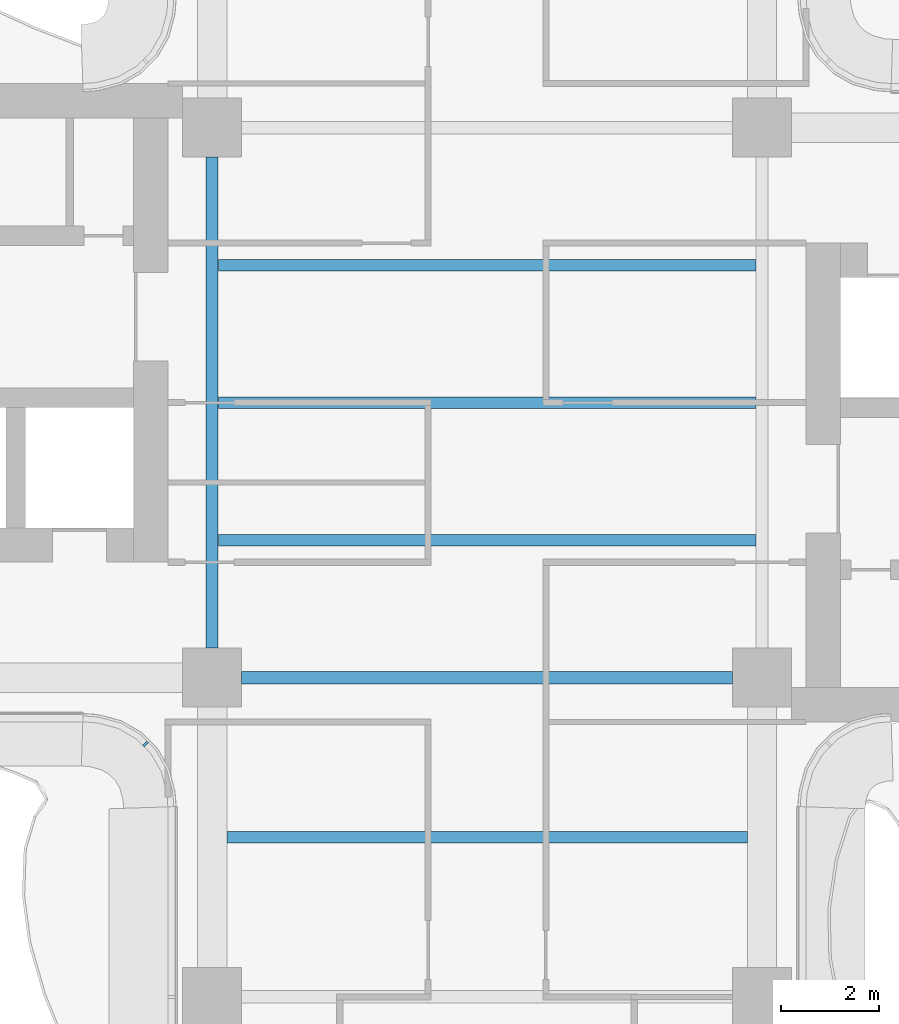
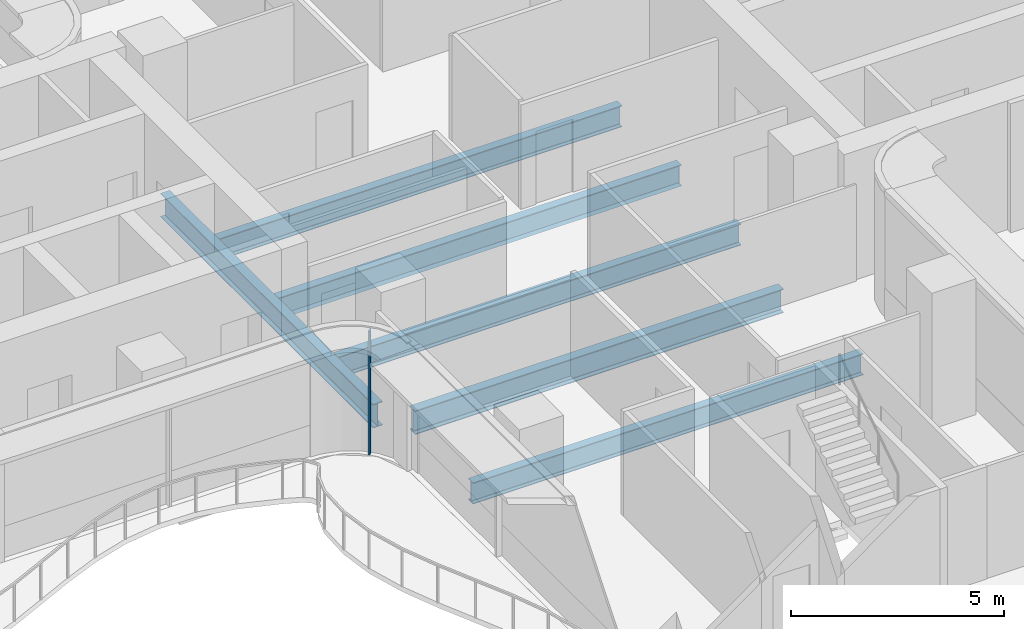
# One storey, part 4 of 19: 6 beams, 1 member, 1 element without a shape of its own.
"""IFC4 building model written with IfcOpenShell, lengths in metres."""

import ifcopenshell
import ifcopenshell.guid

model = None  # the IFC model being written
_history = None  # IfcOwnerHistory: only IFC2X3 demands one
_inside = {}  # id of a spatial element -> (the spatial element, [elements in it])
_under = {}  # id of a project, library or spatial element -> (it, [spatial elements below it])
_declared = {}  # id of a project -> (the project, [libraries it declares])
_typed = {}  # id of a type object -> (the type object, [elements of that type])
_made_of = {}  # id of a material, layer set ... -> (it, [elements and type objects made of it])


def new_model(schema):
    """Start an empty IFC model of exactly this schema.

    Asked for "IFC4X3", IfcOpenShell would pick the latest addendum, in which some entities
    have other attributes; the version numbers below select the first issue.
    IFC2X3 requires an IfcOwnerHistory on every rooted entity: one is made here for all.
    """
    global model, _history
    if schema == "IFC4X3":
        model = ifcopenshell.file(schema_version=(4, 3, 0, 0))
    else:
        model = ifcopenshell.file(schema=schema)
    _inside.clear()
    _under.clear()
    _declared.clear()
    _typed.clear()
    _made_of.clear()
    _history = None
    if model.schema == "IFC2X3":
        org = make("IfcOrganization", Name="unknown")
        user = make(
            "IfcPersonAndOrganization",
            ThePerson=make("IfcPerson", FamilyName="unknown"),
            TheOrganization=org,
        )
        app = make(
            "IfcApplication",
            ApplicationDeveloper=org,
            Version="unknown",
            ApplicationFullName="unknown",
            ApplicationIdentifier="unknown",
        )
        _history = make(
            "IfcOwnerHistory",
            OwningUser=user,
            OwningApplication=app,
            ChangeAction="ADDED",
            CreationDate=0,
        )
    return model


def make(cls, **values):
    """One entity of the class cls with the attributes given. An attribute that is None is left unset."""
    return model.create_entity(
        cls, **{name: value for name, value in values.items() if value is not None}
    )


def rooted(cls, **values):
    """An entity with a GlobalId (a new one), such as an element, a storey or a relation."""
    return make(cls, GlobalId=ifcopenshell.guid.new(), OwnerHistory=_history, **values)


def si_unit(unit_type, name, prefix=None):
    """IfcSIUnit, for example si_unit("LENGTHUNIT", "METRE", prefix="MILLI")."""
    return make("IfcSIUnit", UnitType=unit_type, Prefix=prefix, Name=name)


def assignment(units):
    """IfcUnitAssignment: the units of a project."""
    return None if units is None else make("IfcUnitAssignment", Units=units)


def point(xyz):
    """IfcCartesianPoint."""
    return None if xyz is None else make("IfcCartesianPoint", Coordinates=xyz)


def direction(xyz):
    """IfcDirection."""
    return None if xyz is None else make("IfcDirection", DirectionRatios=xyz)


def frame(location, z_axis=None, x_axis=None):
    """IfcAxis2Placement3D, a coordinate frame: its origin and axes. An axis left out is left unset."""
    return make(
        "IfcAxis2Placement3D",
        Location=point(location),
        Axis=direction(z_axis),
        RefDirection=direction(x_axis),
    )


def frame_2d(location, x_axis=None):
    """IfcAxis2Placement2D, a coordinate frame in the plane: its origin and x axis."""
    return make(
        "IfcAxis2Placement2D", Location=point(location), RefDirection=direction(x_axis)
    )


def origin():
    """The frame at (0, 0, 0) with its axes left unset."""
    return frame((0.0, 0.0, 0.0))


def origin_2d():
    """The frame at (0, 0) in the plane with its x axis left unset."""
    return frame_2d((0.0, 0.0))


def place(relative_to, where):
    """IfcLocalPlacement: puts the frame where relative to a parent placement (None: the world)."""
    return make(
        "IfcLocalPlacement", PlacementRelTo=relative_to, RelativePlacement=where
    )


def context(
    kind, dimensions, precision=None, world=None, true_north=None, identifier=None
):
    """IfcGeometricRepresentationContext, for example the 3D "Model" context."""
    return make(
        "IfcGeometricRepresentationContext",
        ContextIdentifier=identifier,
        ContextType=kind,
        CoordinateSpaceDimension=dimensions,
        Precision=precision,
        WorldCoordinateSystem=world,
        TrueNorth=true_north,
    )


def subcontext(parent, identifier, kind, view, scale=None):
    """IfcGeometricRepresentationSubContext, for example "Body" below "Model"."""
    return make(
        "IfcGeometricRepresentationSubContext",
        ContextIdentifier=identifier,
        ContextType=kind,
        ParentContext=parent,
        TargetScale=scale,
        TargetView=view,
    )


def project(units=None, contexts=None):
    """IfcProject with its units and contexts."""
    return rooted(
        "IfcProject",
        Name="project",
        RepresentationContexts=contexts,
        UnitsInContext=assignment(units),
    )


def spatial(cls, under=None, at=None, **own):
    """A site, building, storey or space (cls), placed at a placement, below another one or the project."""
    s = rooted(cls, ObjectPlacement=at, **own)
    if under is not None:
        _under.setdefault(under.id(), (under, []))[1].append(s)
    return s


def profile(cls, at=None, kind="AREA", **sizes):
    """A parametric profile (cls). Its sizes go by their IFC names, for example OverallWidth=200.0."""
    return make(cls, ProfileType=kind, Position=at, **sizes)


def rectangle(**sizes):
    """IfcRectangleProfileDef."""
    return profile("IfcRectangleProfileDef", **sizes)


def i_section(**sizes):
    """IfcIShapeProfileDef."""
    return profile("IfcIShapeProfileDef", **sizes)


def extrude(swept, where, along, depth):
    """IfcExtrudedAreaSolid: the profile swept, set in the frame where, extruded along a direction by depth."""
    return make(
        "IfcExtrudedAreaSolid",
        SweptArea=swept,
        Position=where,
        ExtrudedDirection=direction(along),
        Depth=depth,
    )


def shape(context_of_items, identifier, shape_type, items):
    """IfcShapeRepresentation: the items that make up one representation, for example the "Body"."""
    return make(
        "IfcShapeRepresentation",
        ContextOfItems=context_of_items,
        RepresentationIdentifier=identifier,
        RepresentationType=shape_type,
        Items=items,
    )


def source(mapping_origin, context_of_items, identifier, shape_type, items):
    """IfcRepresentationMap: a shape defined once, which mapped items show again and again."""
    return make(
        "IfcRepresentationMap",
        MappingOrigin=mapping_origin,
        MappedRepresentation=shape(context_of_items, identifier, shape_type, items),
    )


def transform(
    local_origin,
    x_axis=None,
    y_axis=None,
    z_axis=None,
    scale=None,
    scale2=None,
    scale3=None,
    uniform=True,
):
    """IfcCartesianTransformationOperator3D, or its non-uniform kind. x_axis, y_axis, z_axis: its Axis1, 2, 3."""
    if uniform:
        return make(
            "IfcCartesianTransformationOperator3D",
            Axis1=direction(x_axis),
            Axis2=direction(y_axis),
            LocalOrigin=point(local_origin),
            Scale=scale,
            Axis3=direction(z_axis),
        )
    return make(
        "IfcCartesianTransformationOperator3DnonUniform",
        Axis1=direction(x_axis),
        Axis2=direction(y_axis),
        LocalOrigin=point(local_origin),
        Scale=scale,
        Axis3=direction(z_axis),
        Scale2=scale2,
        Scale3=scale3,
    )


def mapped(mapping_source, mapping_target):
    """IfcMappedItem: shows the shape of a source again, moved by a transform."""
    return make(
        "IfcMappedItem", MappingSource=mapping_source, MappingTarget=mapping_target
    )


def material(Name=None, Category=None):
    """IfcMaterial."""
    return make("IfcMaterial", Name=Name, Category=Category)


def layer(
    of_material, thickness, ventilated=None, Name=None, Category=None, Priority=None
):
    """IfcMaterialLayer: one layer of a wall or slab, of a material (None: an air gap)."""
    return make(
        "IfcMaterialLayer",
        Material=of_material,
        LayerThickness=thickness,
        IsVentilated=ventilated,
        Name=Name,
        Category=Category,
        Priority=Priority,
    )


def layer_set(layers, Name=None):
    """IfcMaterialLayerSet."""
    return make("IfcMaterialLayerSet", MaterialLayers=layers, LayerSetName=Name)


def material_profile(
    of_material, cross_section, Name=None, Category=None, Priority=None
):
    """IfcMaterialProfile: a cross section and its material."""
    return make(
        "IfcMaterialProfile",
        Name=Name,
        Material=of_material,
        Profile=cross_section,
        Priority=Priority,
        Category=Category,
    )


def profile_set(profiles, Name=None, composite=None):
    """IfcMaterialProfileSet."""
    return make(
        "IfcMaterialProfileSet",
        Name=Name,
        MaterialProfiles=profiles,
        CompositeProfile=composite,
    )


def made_of(thing, what):
    """Note that an element or type object is made of a material, layer set ...; save() writes the relation."""
    if what is not None:
        _made_of.setdefault(what.id(), (what, []))[1].append(thing)
    return thing


def type_object(cls, material=None, **own):
    """A type object (cls), such as IfcWallType, which elements share."""
    return made_of(rooted(cls, **own), material)


def element(
    cls,
    number,
    at=None,
    inside=None,
    cuts=None,
    type_object=None,
    material=None,
    context=None,
    identifier="Body",
    shape_type=None,
    held_by="IfcProductDefinitionShape",
    body=None,
    shapes=None,
    **own,
):
    """One element of the class cls, such as IfcWall. Its Tag is "e" and its number.

    at: its placement. inside: the storey or other place that contains it. cuts: it is an
    opening in that element (IfcRelVoidsElement). A single representation is given by context,
    identifier, shape_type and body (its items); several are given by shapes. held_by: the class
    of the entity that holds the representations. save() writes the other relations.
    """
    e = rooted(cls, Tag="e%d" % number, ObjectPlacement=at, **own)
    if body is not None:
        shapes = [shape(context, identifier, shape_type, body)]
    if shapes is not None:
        e.Representation = make(held_by, Representations=shapes)
    if inside is not None:
        _inside.setdefault(inside.id(), (inside, []))[1].append(e)
    if cuts is not None:
        rooted(
            "IfcRelVoidsElement", RelatingBuildingElement=cuts, RelatedOpeningElement=e
        )
    if type_object is not None:
        _typed.setdefault(type_object.id(), (type_object, []))[1].append(e)
    return made_of(e, material)


def aggregate(whole, parts):
    """IfcRelAggregates: a whole, such as a stair, and the parts it consists of."""
    return rooted("IfcRelAggregates", RelatingObject=whole, RelatedObjects=parts)


def save(model, path):
    """Write the relations noted so far, then the file.

    IfcRelAggregates (storeys below a building ...), IfcRelContainedInSpatialStructure (elements
    in a storey), IfcRelDefinesByType, IfcRelAssociatesMaterial and IfcRelDeclares: one each for
    every whole, place, type object, material and project.
    """
    for whole, parts in _under.values():
        aggregate(whole, parts)
    for where, things in _inside.values():
        rooted(
            "IfcRelContainedInSpatialStructure",
            RelatedElements=things,
            RelatingStructure=where,
        )
    for kind, things in _typed.values():
        rooted("IfcRelDefinesByType", RelatedObjects=things, RelatingType=kind)
    for what, things in _made_of.values():
        rooted("IfcRelAssociatesMaterial", RelatedObjects=things, RelatingMaterial=what)
    for by, libraries in _declared.values():
        rooted("IfcRelDeclares", RelatingContext=by, RelatedDefinitions=libraries)
    model.write(path)


model = new_model("IFC4")

# Units and contexts
model_context = context("Model", 3, precision=1e-05, world=origin(), true_north=direction((0.0, 1.0)))
body_context = subcontext(model_context, "Body", "Model", "MODEL_VIEW")
ifc_project = project(units=[si_unit("LENGTHUNIT", "METRE"), si_unit("AREAUNIT", "SQUARE_METRE"), si_unit("VOLUMEUNIT", "CUBIC_METRE"), si_unit("PLANEANGLEUNIT", "RADIAN"), si_unit("MASSUNIT", "GRAM", prefix="KILO")], contexts=[model_context])

# Site, building, storey
site_placement = place(None, origin())
site = spatial("IfcSite", under=ifc_project, at=site_placement, CompositionType="ELEMENT")
building_placement = place(site_placement, origin())
building = spatial("IfcBuilding", under=site, at=building_placement, Name="Trellis Farm Tower", CompositionType="ELEMENT")
storey_placement = place(building_placement, frame((0.0, 0.0, 197.10009765625)))
storey = spatial("IfcBuildingStorey", under=building, at=storey_placement, Name="L43", CompositionType="ELEMENT", Elevation=197.10009765625)

# Beams
ifc_material_1 = material(Name="Steel S355", Category="steel")
ifc_material_profile_1 = material_profile(ifc_material_1, i_section(OverallWidth=0.253662109375, OverallDepth=0.68359375, WebThickness=0.012451171875, FlangeThickness=0.021728515625, FilletRadius=0.01513671875, at=origin_2d()), Name="UB 686x254x140")
ifc_profile_set_1 = profile_set([ifc_material_profile_1], Name="Steel S355")
beam_type_1 = type_object("IfcBeamType", Name="UB 686x254x140", PredefinedType="BEAM", material=ifc_profile_set_1)
shared_shape_1 = source(origin(), body_context, "Body", "SweptSolid", [
    extrude(i_section(OverallWidth=0.253662109375, OverallDepth=0.68359375, WebThickness=0.012451171875, FlangeThickness=0.021728515625, FilletRadius=0.01513671875, at=origin_2d()), origin(), (0.0, 0.0, 1.0), 10.0),
])
for number, where, z_axis, x_axis, name in (
    (1, (-5.0, -5.60009765625, -0.541748046875), (1.0, 0.0, 0.0), (0.0, 1.0, 0.0), "Girder"),
    (2, (-5.60009765625, -5.0, -0.541748046875), (0.0, 1.0, 0.0), (-1.0, 0.0, 0.0), "Girder"),
):
    element("IfcBeam", number, at=place(storey_placement, frame(where, z_axis=z_axis, x_axis=x_axis)), inside=storey, type_object=beam_type_1, Name=name, PredefinedType="BEAM", context=body_context, shape_type="MappedRepresentation", body=[
        mapped(shared_shape_1, transform((0.0, 0.0, 0.0))),
    ])
ifc_material_profile_2 = material_profile(ifc_material_1, i_section(OverallWidth=0.22900390625, OverallDepth=0.6123046875, WebThickness=0.011962890625, FlangeThickness=0.01953125, FilletRadius=0.0126953125, at=origin_2d()), Name="UB 610x229x125")
ifc_profile_set_2 = profile_set([ifc_material_profile_2], Name="Steel S355")
beam_type_2 = type_object("IfcBeamType", Name="UB 610x229x125 joist", PredefinedType="JOIST", material=ifc_profile_set_2)
shared_shape_2 = source(origin(), body_context, "Body", "SweptSolid", [
    extrude(i_section(OverallWidth=0.22900390625, OverallDepth=0.6123046875, WebThickness=0.011962890625, FlangeThickness=0.01953125, FilletRadius=0.0126953125, at=origin_2d()), origin(), (0.0, 0.0, 1.0), 10.9462890625),
])
for number, where, z_axis, x_axis, name in (
    (3, (-5.47314453125, -2.800048828125, -0.506103515625), (1.0, 0.0, 0.0), (0.0, 1.0, 0.0), "Floor beam"),
    (4, (-5.47314453125, 0.0, -0.506103515625), (1.0, 0.0, 0.0), (0.0, 1.0, 0.0), "Floor beam"),
    (5, (-5.47314453125, 2.800048828125, -0.506103515625), (1.0, 0.0, 0.0), (0.0, 1.0, 0.0), "Floor beam"),
):
    element("IfcBeam", number, at=place(storey_placement, frame(where, z_axis=z_axis, x_axis=x_axis)), inside=storey, type_object=beam_type_2, Name=name, PredefinedType="JOIST", context=body_context, shape_type="MappedRepresentation", body=[
        mapped(shared_shape_2, transform((0.0, 0.0, 0.0))),
    ])
shared_shape_3 = source(origin(), body_context, "Body", "SweptSolid", [
    extrude(i_section(OverallWidth=0.22900390625, OverallDepth=0.6123046875, WebThickness=0.011962890625, FlangeThickness=0.01953125, FilletRadius=0.0126953125, at=origin_2d()), origin(), (0.0, 0.0, 1.0), 10.60009765625),
])
beam_placement = place(storey_placement, frame((-5.300048828125, -8.85009765625, -0.506103515625), z_axis=(1.0, 0.0, 0.0), x_axis=(0.0, 1.0, 0.0)))
element("IfcBeam", 6, at=beam_placement, inside=storey, type_object=beam_type_2, Name="Floor beam", PredefinedType="JOIST", context=body_context, shape_type="MappedRepresentation", body=[
    mapped(shared_shape_3, transform((0.0, 0.0, 0.0))),
])

# Curtain wall, member
ifc_material_2 = material(Name="Aluminium and glass curtain wall", Category="aluminium")
ifc_layer = layer(ifc_material_2, 0.166015625)
ifc_layer_set = layer_set([ifc_layer], Name="WINTER GARDEN CURTAIN WALL CW3")
curtain_wall_type = type_object("IfcCurtainWallType", Name="WINTER GARDEN CURTAIN WALL CW3", PredefinedType="NOTDEFINED", material=ifc_layer_set)
curtain_wall_placement = place(storey_placement, origin())
curtain_wall = element("IfcCurtainWall", 7, at=curtain_wall_placement, inside=storey, type_object=curtain_wall_type, Name="CW3 001", PredefinedType="NOTDEFINED")
ifc_material_3 = material(Name="Aluminium extrusion 6063-T6", Category="aluminium")
ifc_material_profile_3 = material_profile(ifc_material_3, rectangle(XDim=0.050048828125, YDim=0.1201171875, at=origin_2d()), Name="MULLION 50x120")
ifc_profile_set_3 = profile_set([ifc_material_profile_3], Name="Aluminium extrusion 6063-T6")
member_type = type_object("IfcMemberType", Name="CW3 MULLION 50x120", PredefinedType="MULLION", material=ifc_profile_set_3)
shared_shape_4 = source(origin(), body_context, "Body", "SweptSolid", [
    extrude(rectangle(XDim=0.050048828125, YDim=0.1201171875, at=origin_2d()), origin(), (0.0, 0.0, 1.0), 3.5498046875),
])
member_placement = place(storey_placement, frame((-6.953125, -6.953125, 0.0), z_axis=(0.0, 0.0, 1.0), x_axis=(0.707106781187, -0.707106781187, 0.0)))
member = element("IfcMember", 8, at=member_placement, type_object=member_type, Name="MU3 001-01", PredefinedType="MULLION", context=body_context, shape_type="MappedRepresentation", body=[
    mapped(shared_shape_4, transform((0.0, 0.0, 0.0))),
])
aggregate(curtain_wall, [member])

save(model, "model.ifc")
